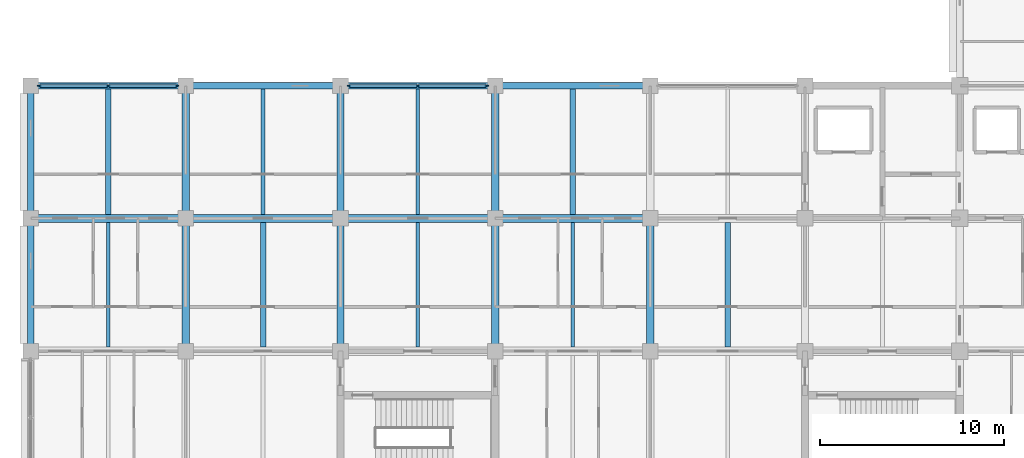
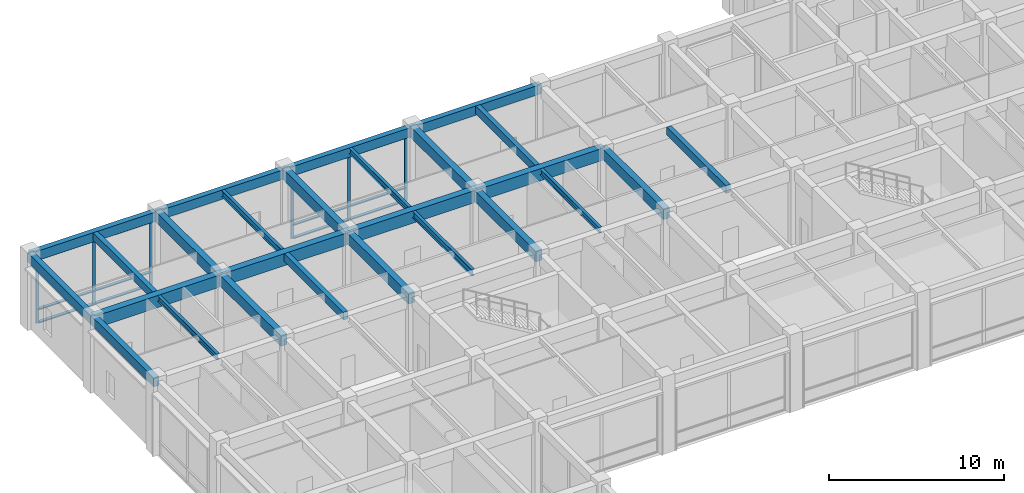
# One storey, part 5 of 51: 26 beams, 18 members, 2 elements without a shape of their own.
"""IFC4 building model written with IfcOpenShell, lengths in metres."""

from ifc_helpers import new_model, si_unit, direction, frame, origin, origin_2d, place, context, subcontext, project, spatial, rectangle, i_section, extrude, material, layer, layer_set, material_profile, profile_set, type_object, element, aggregate, save


model = new_model("IFC4")

# Units and contexts
model_context = context("Model", 3, precision=1e-05, world=origin(), true_north=direction((0.0, 1.0)))
body_context = subcontext(model_context, "Body", "Model", "MODEL_VIEW")
ifc_project = project(units=[si_unit("LENGTHUNIT", "METRE"), si_unit("AREAUNIT", "SQUARE_METRE"), si_unit("VOLUMEUNIT", "CUBIC_METRE"), si_unit("PLANEANGLEUNIT", "RADIAN"), si_unit("MASSUNIT", "GRAM", prefix="KILO")], contexts=[model_context])

# Site, building, storey
site_placement = place(None, origin())
site = spatial("IfcSite", under=ifc_project, at=site_placement, CompositionType="ELEMENT")
building_placement = place(site_placement, origin())
building = spatial("IfcBuilding", under=site, at=building_placement, Name="Chengyuan Square Courthouse", CompositionType="ELEMENT")
storey_placement = place(building_placement, frame((0.0, 0.0, 10.800048828125)))
storey = spatial("IfcBuildingStorey", under=building, at=storey_placement, Name="L03", CompositionType="ELEMENT", Elevation=10.800048828125)

# Beams
ifc_material_1 = material(Name="Concrete C40", Category="concrete")
ifc_material_profile_1 = material_profile(ifc_material_1, rectangle(XDim=0.449951171875, YDim=0.85009765625, at=origin_2d()), Name="RC-BM-450x850")
ifc_profile_set_1 = profile_set([ifc_material_profile_1], Name="Concrete C40")
beam_type_1 = type_object("IfcBeamType", Name="BM-01", PredefinedType="USERDEFINED", material=ifc_profile_set_1)
beam_1_placement = place(storey_placement, frame((0.0, 100.800048828125, 4.695068359375), z_axis=(1.0, 0.0, 0.0), x_axis=(0.0, 1.0, 0.0)))
element("IfcBeam", 1, at=beam_1_placement, inside=storey, type_object=beam_type_1, Name="Girder BM-L03-2584", ObjectType="GIRDER", PredefinedType="USERDEFINED", context=body_context, shape_type="SweptSolid", body=[
    extrude(rectangle(XDim=0.449951171875, YDim=0.85009765625, at=origin_2d()), origin(), (0.0, 0.0, 1.0), 8.39990234375),
])
beam_2_placement = place(storey_placement, frame((8.39990234375, 100.800048828125, 4.695068359375), z_axis=(1.0, 0.0, 0.0), x_axis=(0.0, 1.0, 0.0)))
element("IfcBeam", 2, at=beam_2_placement, inside=storey, type_object=beam_type_1, Name="Girder BM-L03-2585", ObjectType="GIRDER", PredefinedType="USERDEFINED", context=body_context, shape_type="SweptSolid", body=[
    extrude(rectangle(XDim=0.449951171875, YDim=0.85009765625, at=origin_2d()), origin(), (0.0, 0.0, 1.0), 8.400146484375),
])
beam_3_placement = place(storey_placement, frame((16.800048828125, 100.800048828125, 4.695068359375), z_axis=(1.0, 0.0, 0.0), x_axis=(0.0, 1.0, 0.0)))
element("IfcBeam", 3, at=beam_3_placement, inside=storey, type_object=beam_type_1, Name="Girder BM-L03-2586", ObjectType="GIRDER", PredefinedType="USERDEFINED", context=body_context, shape_type="SweptSolid", body=[
    extrude(rectangle(XDim=0.449951171875, YDim=0.85009765625, at=origin_2d()), origin(), (0.0, 0.0, 1.0), 8.39990234375),
])
beam_4_placement = place(storey_placement, frame((25.199951171875, 100.800048828125, 4.695068359375), z_axis=(1.0, 0.0, 0.0), x_axis=(0.0, 1.0, 0.0)))
element("IfcBeam", 4, at=beam_4_placement, inside=storey, type_object=beam_type_1, Name="Girder BM-L03-2587", ObjectType="GIRDER", PredefinedType="USERDEFINED", context=body_context, shape_type="SweptSolid", body=[
    extrude(rectangle(XDim=0.449951171875, YDim=0.85009765625, at=origin_2d()), origin(), (0.0, 0.0, 1.0), 8.400146484375),
])
ifc_material_profile_2 = material_profile(ifc_material_1, rectangle(XDim=0.39990234375, YDim=0.75, at=origin_2d()), Name="RC-BM-400x750")
ifc_profile_set_2 = profile_set([ifc_material_profile_2], Name="Concrete C40")
beam_type_2 = type_object("IfcBeamType", Name="BM-02", PredefinedType="USERDEFINED", material=ifc_profile_set_2)
for number, where, z_axis, x_axis, name in (
    (5, (8.39990234375, 93.60009765625, 4.744873046875), (0.0, 1.0, 0.0), (-1.0, 0.0, 0.0), "Girder BM-L03-2644"),
    (6, (8.39990234375, 100.800048828125, 4.744873046875), (0.0, 1.0, 0.0), (-1.0, 0.0, 0.0), "Girder BM-L03-2645"),
    (7, (16.800048828125, 93.60009765625, 4.744873046875), (0.0, 1.0, 0.0), (-1.0, 0.0, 0.0), "Girder BM-L03-2654"),
    (8, (16.800048828125, 100.800048828125, 4.744873046875), (0.0, 1.0, 0.0), (-1.0, 0.0, 0.0), "Girder BM-L03-2655"),
    (9, (25.199951171875, 93.60009765625, 4.744873046875), (0.0, 1.0, 0.0), (-1.0, 0.0, 0.0), "Girder BM-L03-2658"),
    (10, (25.199951171875, 100.800048828125, 4.744873046875), (0.0, 1.0, 0.0), (-1.0, 0.0, 0.0), "Girder BM-L03-2659"),
    (11, (33.60009765625, 93.60009765625, 4.744873046875), (0.0, 1.0, 0.0), (-1.0, 0.0, 0.0), "Girder BM-L03-2662"),
):
    element("IfcBeam", number, at=place(storey_placement, frame(where, z_axis=z_axis, x_axis=x_axis)), inside=storey, type_object=beam_type_2, Name=name, ObjectType="GIRDER", PredefinedType="USERDEFINED", context=body_context, shape_type="SweptSolid", body=[
        extrude(rectangle(XDim=0.39990234375, YDim=0.75, at=origin_2d()), origin(), (0.0, 0.0, 1.0), 7.199951171875),
    ])
ifc_material_profile_3 = material_profile(ifc_material_1, rectangle(XDim=0.35009765625, YDim=0.64990234375, at=origin_2d()), Name="RC-BM-350x650")
ifc_profile_set_3 = profile_set([ifc_material_profile_3], Name="Concrete C40")
beam_type_3 = type_object("IfcBeamType", Name="BM-03", PredefinedType="SPANDREL", material=ifc_profile_set_3)
beam_5_placement = place(storey_placement, frame((0.0, 108.0, 4.794921875), z_axis=(1.0, 0.0, 0.0), x_axis=(0.0, 1.0, 0.0)))
element("IfcBeam", 12, at=beam_5_placement, inside=storey, type_object=beam_type_3, Name="Girder BM-L03-2604", PredefinedType="SPANDREL", context=body_context, shape_type="SweptSolid", body=[
    extrude(rectangle(XDim=0.35009765625, YDim=0.64990234375, at=origin_2d()), origin(), (0.0, 0.0, 1.0), 8.39990234375),
])
beam_6_placement = place(storey_placement, frame((8.39990234375, 108.0, 4.794921875), z_axis=(1.0, 0.0, 0.0), x_axis=(0.0, 1.0, 0.0)))
element("IfcBeam", 13, at=beam_6_placement, inside=storey, type_object=beam_type_3, Name="Girder BM-L03-2605", PredefinedType="SPANDREL", context=body_context, shape_type="SweptSolid", body=[
    extrude(rectangle(XDim=0.35009765625, YDim=0.64990234375, at=origin_2d()), origin(), (0.0, 0.0, 1.0), 8.400146484375),
])
beam_7_placement = place(storey_placement, frame((16.800048828125, 108.0, 4.794921875), z_axis=(1.0, 0.0, 0.0), x_axis=(0.0, 1.0, 0.0)))
element("IfcBeam", 14, at=beam_7_placement, inside=storey, type_object=beam_type_3, Name="Girder BM-L03-2606", PredefinedType="SPANDREL", context=body_context, shape_type="SweptSolid", body=[
    extrude(rectangle(XDim=0.35009765625, YDim=0.64990234375, at=origin_2d()), origin(), (0.0, 0.0, 1.0), 8.39990234375),
])
beam_8_placement = place(storey_placement, frame((25.199951171875, 108.0, 4.794921875), z_axis=(1.0, 0.0, 0.0), x_axis=(0.0, 1.0, 0.0)))
element("IfcBeam", 15, at=beam_8_placement, inside=storey, type_object=beam_type_3, Name="Girder BM-L03-2607", PredefinedType="SPANDREL", context=body_context, shape_type="SweptSolid", body=[
    extrude(rectangle(XDim=0.35009765625, YDim=0.64990234375, at=origin_2d()), origin(), (0.0, 0.0, 1.0), 8.400146484375),
])
for number, where, z_axis, x_axis, name in (
    (16, (0.0, 93.60009765625, 4.794921875), (0.0, 1.0, 0.0), (-1.0, 0.0, 0.0), "Girder BM-L03-2640"),
    (17, (0.0, 100.800048828125, 4.794921875), (0.0, 1.0, 0.0), (-1.0, 0.0, 0.0), "Girder BM-L03-2641"),
):
    element("IfcBeam", number, at=place(storey_placement, frame(where, z_axis=z_axis, x_axis=x_axis)), inside=storey, type_object=beam_type_3, Name=name, PredefinedType="SPANDREL", context=body_context, shape_type="SweptSolid", body=[
        extrude(rectangle(XDim=0.35009765625, YDim=0.64990234375, at=origin_2d()), origin(), (0.0, 0.0, 1.0), 7.199951171875),
    ])
ifc_material_profile_4 = material_profile(ifc_material_1, rectangle(XDim=0.300048828125, YDim=0.550048828125, at=origin_2d()), Name="RC-BM-300x550")
ifc_profile_set_4 = profile_set([ifc_material_profile_4], Name="Concrete C40")
beam_type_4 = type_object("IfcBeamType", Name="BM-04", PredefinedType="BEAM", material=ifc_profile_set_4)
beam_9_placement = place(storey_placement, frame((4.199951171875, 101.02490234375, 4.844970703125), z_axis=(0.0, 1.0, 0.0), x_axis=(-1.0, 0.0, 0.0)))
element("IfcBeam", 18, at=beam_9_placement, inside=storey, type_object=beam_type_4, Name="Secondary Floor Beam SBM-L03-2760", PredefinedType="BEAM", context=body_context, shape_type="SweptSolid", body=[
    extrude(rectangle(XDim=0.300048828125, YDim=0.550048828125, at=origin_2d()), origin(), (0.0, 0.0, 1.0), 6.800048828125),
])
beam_10_placement = place(storey_placement, frame((12.60009765625, 93.824951171875, 4.844970703125), z_axis=(0.0, 1.0, 0.0), x_axis=(-1.0, 0.0, 0.0)))
element("IfcBeam", 19, at=beam_10_placement, inside=storey, type_object=beam_type_4, Name="Secondary Floor Beam SBM-L03-2766", PredefinedType="BEAM", context=body_context, shape_type="SweptSolid", body=[
    extrude(rectangle(XDim=0.300048828125, YDim=0.550048828125, at=origin_2d()), origin(), (0.0, 0.0, 1.0), 6.75),
])
beam_11_placement = place(storey_placement, frame((29.39990234375, 101.02490234375, 4.844970703125), z_axis=(0.0, 1.0, 0.0), x_axis=(-1.0, 0.0, 0.0)))
element("IfcBeam", 20, at=beam_11_placement, inside=storey, type_object=beam_type_4, Name="Secondary Floor Beam SBM-L03-2774", PredefinedType="BEAM", context=body_context, shape_type="SweptSolid", body=[
    extrude(rectangle(XDim=0.300048828125, YDim=0.550048828125, at=origin_2d()), origin(), (0.0, 0.0, 1.0), 6.800048828125),
])
beam_12_placement = place(storey_placement, frame((37.800048828125, 93.824951171875, 4.844970703125), z_axis=(0.0, 1.0, 0.0), x_axis=(-1.0, 0.0, 0.0)))
element("IfcBeam", 21, at=beam_12_placement, inside=storey, type_object=beam_type_4, Name="Secondary Floor Beam SBM-L03-2777", PredefinedType="BEAM", context=body_context, shape_type="SweptSolid", body=[
    extrude(rectangle(XDim=0.300048828125, YDim=0.550048828125, at=origin_2d()), origin(), (0.0, 0.0, 1.0), 6.75),
])
ifc_material_2 = material(Name="Steel Q355B", Category="steel")
ifc_material_profile_5 = material_profile(ifc_material_2, i_section(OverallWidth=0.199951171875, OverallDepth=0.449951171875, WebThickness=0.009033203125, FlangeThickness=0.013916015625, at=origin_2d()), Name="HN 450x200x9x14")
ifc_profile_set_5 = profile_set([ifc_material_profile_5], Name="Steel Q355B")
beam_type_5 = type_object("IfcBeamType", Name="BM-06", PredefinedType="BEAM", material=ifc_profile_set_5)
beam_13_placement = place(storey_placement, frame((12.60009765625, 101.02490234375, 4.89501953125), z_axis=(0.0, 1.0, 0.0), x_axis=(-1.0, 0.0, 0.0)))
element("IfcBeam", 22, at=beam_13_placement, inside=storey, type_object=beam_type_5, Name="Secondary Floor Beam SBM-L03-2767", PredefinedType="BEAM", context=body_context, shape_type="SweptSolid", body=[
    extrude(i_section(OverallWidth=0.199951171875, OverallDepth=0.449951171875, WebThickness=0.009033203125, FlangeThickness=0.013916015625, at=origin_2d()), origin(), (0.0, 0.0, 1.0), 6.800048828125),
])
beam_14_placement = place(storey_placement, frame((21.0, 93.824951171875, 4.89501953125), z_axis=(0.0, 1.0, 0.0), x_axis=(-1.0, 0.0, 0.0)))
element("IfcBeam", 23, at=beam_14_placement, inside=storey, type_object=beam_type_5, Name="Secondary Floor Beam SBM-L03-2769", PredefinedType="BEAM", context=body_context, shape_type="SweptSolid", body=[
    extrude(i_section(OverallWidth=0.199951171875, OverallDepth=0.449951171875, WebThickness=0.009033203125, FlangeThickness=0.013916015625, at=origin_2d()), origin(), (0.0, 0.0, 1.0), 6.75),
])
ifc_material_profile_6 = material_profile(ifc_material_2, i_section(OverallWidth=0.199951171875, OverallDepth=0.39990234375, WebThickness=0.008056640625, FlangeThickness=0.012939453125, at=origin_2d()), Name="HN 400x200x8x13")
ifc_profile_set_6 = profile_set([ifc_material_profile_6], Name="Steel Q355B")
beam_type_6 = type_object("IfcBeamType", Name="BM-07", PredefinedType="BEAM", material=ifc_profile_set_6)
beam_15_placement = place(storey_placement, frame((4.199951171875, 93.824951171875, 4.919921875), z_axis=(0.0, 1.0, 0.0), x_axis=(-1.0, 0.0, 0.0)))
element("IfcBeam", 24, at=beam_15_placement, inside=storey, type_object=beam_type_6, Name="Secondary Floor Beam SBM-L03-2759", PredefinedType="BEAM", context=body_context, shape_type="SweptSolid", body=[
    extrude(i_section(OverallWidth=0.199951171875, OverallDepth=0.39990234375, WebThickness=0.008056640625, FlangeThickness=0.012939453125, at=origin_2d()), origin(), (0.0, 0.0, 1.0), 6.75),
])
beam_16_placement = place(storey_placement, frame((21.0, 101.02490234375, 4.919921875), z_axis=(0.0, 1.0, 0.0), x_axis=(-1.0, 0.0, 0.0)))
element("IfcBeam", 25, at=beam_16_placement, inside=storey, type_object=beam_type_6, Name="Secondary Floor Beam SBM-L03-2770", PredefinedType="BEAM", context=body_context, shape_type="SweptSolid", body=[
    extrude(i_section(OverallWidth=0.199951171875, OverallDepth=0.39990234375, WebThickness=0.008056640625, FlangeThickness=0.012939453125, at=origin_2d()), origin(), (0.0, 0.0, 1.0), 6.800048828125),
])
beam_17_placement = place(storey_placement, frame((29.39990234375, 93.824951171875, 4.919921875), z_axis=(0.0, 1.0, 0.0), x_axis=(-1.0, 0.0, 0.0)))
element("IfcBeam", 26, at=beam_17_placement, inside=storey, type_object=beam_type_6, Name="Secondary Floor Beam SBM-L03-2773", PredefinedType="BEAM", context=body_context, shape_type="SweptSolid", body=[
    extrude(i_section(OverallWidth=0.199951171875, OverallDepth=0.39990234375, WebThickness=0.008056640625, FlangeThickness=0.012939453125, at=origin_2d()), origin(), (0.0, 0.0, 1.0), 6.75),
])

# Curtain wall, members
ifc_material_3 = material(Name="Unitised Aluminium and Triple Low-E Glass", Category="aluminium")
ifc_layer = layer(ifc_material_3, 0.199951171875)
ifc_layer_set = layer_set([ifc_layer], Name="Unitised Aluminium and Triple Low-E Glass")
curtain_wall_type = type_object("IfcCurtainWallType", Name="CW-07", PredefinedType="USERDEFINED", material=ifc_layer_set)
curtain_wall_1_placement = place(storey_placement, origin())
curtain_wall_1 = element("IfcCurtainWall", 27, at=curtain_wall_1_placement, inside=storey, type_object=curtain_wall_type, Name="Unitised Curtain Wall CW-L03-093", ObjectType="UNITISED CURTAIN WALL", PredefinedType="USERDEFINED")
ifc_material_4 = material(Name="Aluminium 6063-T6 Frame", Category="aluminium")
ifc_material_profile_7 = material_profile(ifc_material_4, rectangle(XDim=0.070068359375, YDim=0.199951171875, at=origin_2d()), Name="CW-MUL-70x200")
ifc_profile_set_7 = profile_set([ifc_material_profile_7], Name="Aluminium 6063-T6 Frame")
member_type_1 = type_object("IfcMemberType", Name="CWM-03", PredefinedType="MULLION", material=ifc_profile_set_7)
member_1_placement = place(storey_placement, frame((0.4599609375, 108.0, 0.0), z_axis=(0.0, 0.0, 1.0), x_axis=(0.0, 1.0, 0.0)))
member_1 = element("IfcMember", 28, at=member_1_placement, type_object=member_type_1, Name="CW-07 mullion 1", PredefinedType="MULLION", context=body_context, shape_type="SweptSolid", body=[
    extrude(rectangle(XDim=0.070068359375, YDim=0.199951171875, at=origin_2d()), origin(), (0.0, 0.0, 1.0), 4.469970703125),
])
member_2_placement = place(storey_placement, frame((4.199951171875, 108.0, 0.0), z_axis=(0.0, 0.0, 1.0), x_axis=(0.0, 1.0, 0.0)))
member_2 = element("IfcMember", 29, at=member_2_placement, type_object=member_type_1, Name="CW-07 mullion 2", PredefinedType="MULLION", context=body_context, shape_type="SweptSolid", body=[
    extrude(rectangle(XDim=0.070068359375, YDim=0.199951171875, at=origin_2d()), origin(), (0.0, 0.0, 1.0), 4.469970703125),
])
member_3_placement = place(storey_placement, frame((7.93994140625, 108.0, 0.0), z_axis=(0.0, 0.0, 1.0), x_axis=(0.0, 1.0, 0.0)))
member_3 = element("IfcMember", 30, at=member_3_placement, type_object=member_type_1, Name="CW-07 mullion 3", PredefinedType="MULLION", context=body_context, shape_type="SweptSolid", body=[
    extrude(rectangle(XDim=0.070068359375, YDim=0.199951171875, at=origin_2d()), origin(), (0.0, 0.0, 1.0), 4.469970703125),
])

curtain_wall_2_placement = place(storey_placement, origin())
curtain_wall_2 = element("IfcCurtainWall", 31, at=curtain_wall_2_placement, inside=storey, type_object=curtain_wall_type, Name="Unitised Curtain Wall CW-L03-098", ObjectType="UNITISED CURTAIN WALL", PredefinedType="USERDEFINED")
member_4_placement = place(storey_placement, frame((17.260009765625, 108.0, 0.0), z_axis=(0.0, 0.0, 1.0), x_axis=(0.0, 1.0, 0.0)))
member_4 = element("IfcMember", 32, at=member_4_placement, type_object=member_type_1, Name="CW-07 mullion 1", PredefinedType="MULLION", context=body_context, shape_type="SweptSolid", body=[
    extrude(rectangle(XDim=0.070068359375, YDim=0.199951171875, at=origin_2d()), origin(), (0.0, 0.0, 1.0), 4.469970703125),
])
member_5_placement = place(storey_placement, frame((21.0, 108.0, 0.0), z_axis=(0.0, 0.0, 1.0), x_axis=(0.0, 1.0, 0.0)))
member_5 = element("IfcMember", 33, at=member_5_placement, type_object=member_type_1, Name="CW-07 mullion 2", PredefinedType="MULLION", context=body_context, shape_type="SweptSolid", body=[
    extrude(rectangle(XDim=0.070068359375, YDim=0.199951171875, at=origin_2d()), origin(), (0.0, 0.0, 1.0), 4.469970703125),
])
member_6_placement = place(storey_placement, frame((24.739990234375, 108.0, 0.0), z_axis=(0.0, 0.0, 1.0), x_axis=(0.0, 1.0, 0.0)))
member_6 = element("IfcMember", 34, at=member_6_placement, type_object=member_type_1, Name="CW-07 mullion 3", PredefinedType="MULLION", context=body_context, shape_type="SweptSolid", body=[
    extrude(rectangle(XDim=0.070068359375, YDim=0.199951171875, at=origin_2d()), origin(), (0.0, 0.0, 1.0), 4.469970703125),
])

# Member
ifc_material_profile_8 = material_profile(ifc_material_4, rectangle(XDim=0.199951171875, YDim=0.070068359375, at=origin_2d()), Name="CW-TRN-70x160")
ifc_profile_set_8 = profile_set([ifc_material_profile_8], Name="Aluminium 6063-T6 Frame")
member_type_2 = type_object("IfcMemberType", Name="CWT-03", PredefinedType="USERDEFINED", material=ifc_profile_set_8)
member_7_placement = place(storey_placement, frame((0.4951171875, 108.0, 0.034912109375), z_axis=(1.0, 0.0, 0.0), x_axis=(0.0, 1.0, 0.0)))
member_7 = element("IfcMember", 35, at=member_7_placement, type_object=member_type_2, Name="CW-07 transom 1.1", ObjectType="TRANSOM", PredefinedType="USERDEFINED", context=body_context, shape_type="SweptSolid", body=[
    extrude(rectangle(XDim=0.199951171875, YDim=0.070068359375, at=origin_2d()), origin(), (0.0, 0.0, 1.0), 3.669921875),
])

member_8_placement = place(storey_placement, frame((0.4951171875, 108.0, 0.949951171875), z_axis=(1.0, 0.0, 0.0), x_axis=(0.0, 1.0, 0.0)))
member_8 = element("IfcMember", 36, at=member_8_placement, type_object=member_type_2, Name="CW-07 transom 1.2", ObjectType="TRANSOM", PredefinedType="USERDEFINED", context=body_context, shape_type="SweptSolid", body=[
    extrude(rectangle(XDim=0.199951171875, YDim=0.070068359375, at=origin_2d()), origin(), (0.0, 0.0, 1.0), 3.669921875),
])

member_9_placement = place(storey_placement, frame((0.4951171875, 108.0, 4.43505859375), z_axis=(1.0, 0.0, 0.0), x_axis=(0.0, 1.0, 0.0)))
member_9 = element("IfcMember", 37, at=member_9_placement, type_object=member_type_2, Name="CW-07 transom 1.3", ObjectType="TRANSOM", PredefinedType="USERDEFINED", context=body_context, shape_type="SweptSolid", body=[
    extrude(rectangle(XDim=0.199951171875, YDim=0.070068359375, at=origin_2d()), origin(), (0.0, 0.0, 1.0), 3.669921875),
])

member_10_placement = place(storey_placement, frame((4.235107421875, 108.0, 0.034912109375), z_axis=(1.0, 0.0, 0.0), x_axis=(0.0, 1.0, 0.0)))
member_10 = element("IfcMember", 38, at=member_10_placement, type_object=member_type_2, Name="CW-07 transom 2.1", ObjectType="TRANSOM", PredefinedType="USERDEFINED", context=body_context, shape_type="SweptSolid", body=[
    extrude(rectangle(XDim=0.199951171875, YDim=0.070068359375, at=origin_2d()), origin(), (0.0, 0.0, 1.0), 3.669921875),
])

member_11_placement = place(storey_placement, frame((4.235107421875, 108.0, 0.949951171875), z_axis=(1.0, 0.0, 0.0), x_axis=(0.0, 1.0, 0.0)))
member_11 = element("IfcMember", 39, at=member_11_placement, type_object=member_type_2, Name="CW-07 transom 2.2", ObjectType="TRANSOM", PredefinedType="USERDEFINED", context=body_context, shape_type="SweptSolid", body=[
    extrude(rectangle(XDim=0.199951171875, YDim=0.070068359375, at=origin_2d()), origin(), (0.0, 0.0, 1.0), 3.669921875),
])

member_12_placement = place(storey_placement, frame((4.235107421875, 108.0, 4.43505859375), z_axis=(1.0, 0.0, 0.0), x_axis=(0.0, 1.0, 0.0)))
member_12 = element("IfcMember", 40, at=member_12_placement, type_object=member_type_2, Name="CW-07 transom 2.3", ObjectType="TRANSOM", PredefinedType="USERDEFINED", context=body_context, shape_type="SweptSolid", body=[
    extrude(rectangle(XDim=0.199951171875, YDim=0.070068359375, at=origin_2d()), origin(), (0.0, 0.0, 1.0), 3.669921875),
])

aggregate(curtain_wall_1, [member_1, member_2, member_3, member_7, member_8, member_9, member_10, member_11, member_12])

member_13_placement = place(storey_placement, frame((17.294921875, 108.0, 0.034912109375), z_axis=(1.0, 0.0, 0.0), x_axis=(0.0, 1.0, 0.0)))
member_13 = element("IfcMember", 41, at=member_13_placement, type_object=member_type_2, Name="CW-07 transom 1.1", ObjectType="TRANSOM", PredefinedType="USERDEFINED", context=body_context, shape_type="SweptSolid", body=[
    extrude(rectangle(XDim=0.199951171875, YDim=0.070068359375, at=origin_2d()), origin(), (0.0, 0.0, 1.0), 3.670166015625),
])

member_14_placement = place(storey_placement, frame((17.294921875, 108.0, 0.949951171875), z_axis=(1.0, 0.0, 0.0), x_axis=(0.0, 1.0, 0.0)))
member_14 = element("IfcMember", 42, at=member_14_placement, type_object=member_type_2, Name="CW-07 transom 1.2", ObjectType="TRANSOM", PredefinedType="USERDEFINED", context=body_context, shape_type="SweptSolid", body=[
    extrude(rectangle(XDim=0.199951171875, YDim=0.070068359375, at=origin_2d()), origin(), (0.0, 0.0, 1.0), 3.670166015625),
])

member_15_placement = place(storey_placement, frame((17.294921875, 108.0, 4.43505859375), z_axis=(1.0, 0.0, 0.0), x_axis=(0.0, 1.0, 0.0)))
member_15 = element("IfcMember", 43, at=member_15_placement, type_object=member_type_2, Name="CW-07 transom 1.3", ObjectType="TRANSOM", PredefinedType="USERDEFINED", context=body_context, shape_type="SweptSolid", body=[
    extrude(rectangle(XDim=0.199951171875, YDim=0.070068359375, at=origin_2d()), origin(), (0.0, 0.0, 1.0), 3.670166015625),
])

member_16_placement = place(storey_placement, frame((21.034912109375, 108.0, 0.034912109375), z_axis=(1.0, 0.0, 0.0), x_axis=(0.0, 1.0, 0.0)))
member_16 = element("IfcMember", 44, at=member_16_placement, type_object=member_type_2, Name="CW-07 transom 2.1", ObjectType="TRANSOM", PredefinedType="USERDEFINED", context=body_context, shape_type="SweptSolid", body=[
    extrude(rectangle(XDim=0.199951171875, YDim=0.070068359375, at=origin_2d()), origin(), (0.0, 0.0, 1.0), 3.670166015625),
])

member_17_placement = place(storey_placement, frame((21.034912109375, 108.0, 0.949951171875), z_axis=(1.0, 0.0, 0.0), x_axis=(0.0, 1.0, 0.0)))
member_17 = element("IfcMember", 45, at=member_17_placement, type_object=member_type_2, Name="CW-07 transom 2.2", ObjectType="TRANSOM", PredefinedType="USERDEFINED", context=body_context, shape_type="SweptSolid", body=[
    extrude(rectangle(XDim=0.199951171875, YDim=0.070068359375, at=origin_2d()), origin(), (0.0, 0.0, 1.0), 3.670166015625),
])

member_18_placement = place(storey_placement, frame((21.034912109375, 108.0, 4.43505859375), z_axis=(1.0, 0.0, 0.0), x_axis=(0.0, 1.0, 0.0)))
member_18 = element("IfcMember", 46, at=member_18_placement, type_object=member_type_2, Name="CW-07 transom 2.3", ObjectType="TRANSOM", PredefinedType="USERDEFINED", context=body_context, shape_type="SweptSolid", body=[
    extrude(rectangle(XDim=0.199951171875, YDim=0.070068359375, at=origin_2d()), origin(), (0.0, 0.0, 1.0), 3.670166015625),
])

aggregate(curtain_wall_2, [member_4, member_5, member_6, member_13, member_14, member_15, member_16, member_17, member_18])

save(model, "model.ifc")
